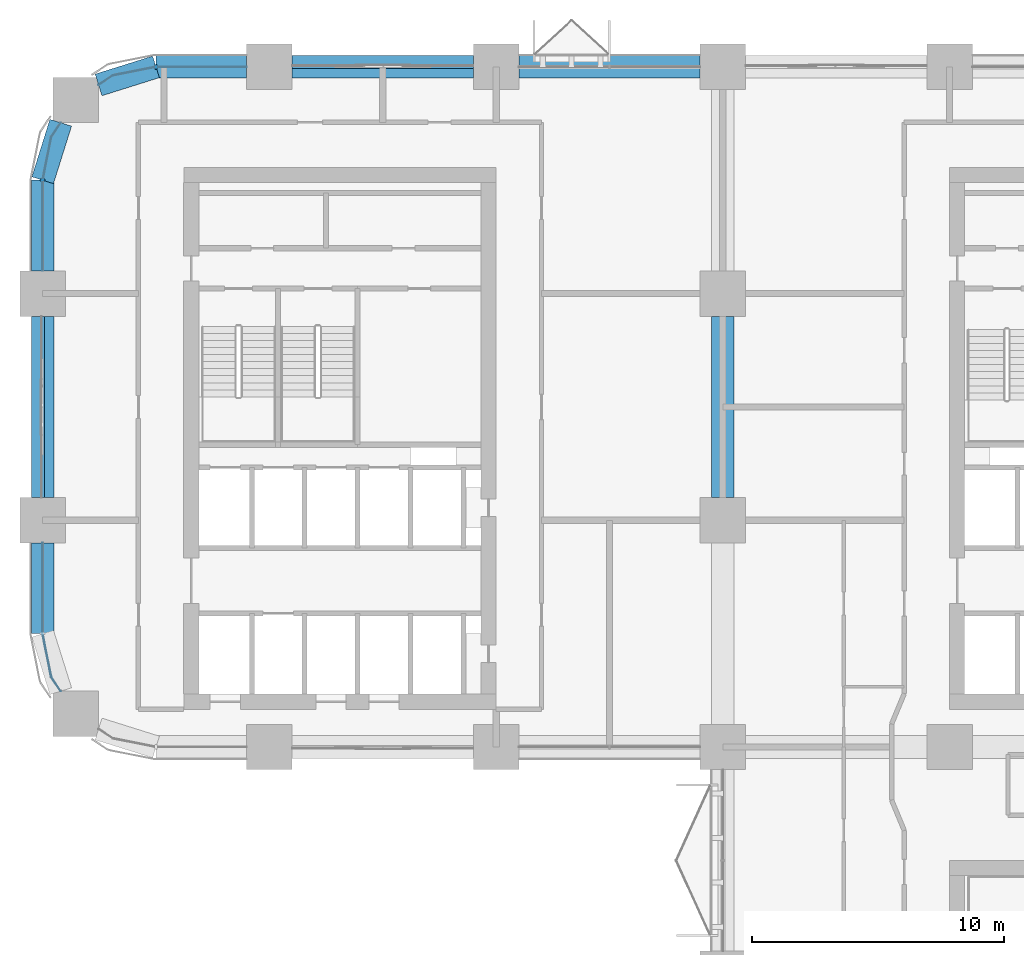
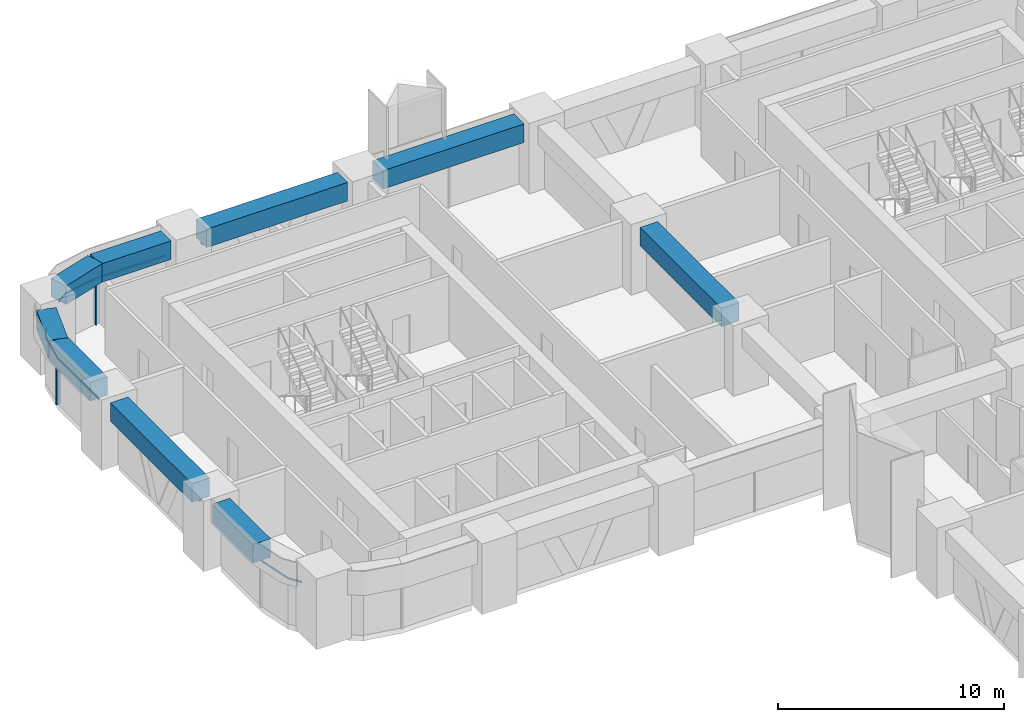
# One storey, part 6 of 18: 9 beams, 7 members, 5 elements without a shape of their own.
"""IFC4 building model written with IfcOpenShell, lengths in metres."""

from ifc_helpers import new_model, si_unit, direction, frame, origin, origin_2d, place, context, subcontext, project, spatial, polyline, rectangle, outline, extrude, material, material_profile, profile_set, type_object, element, aggregate, save


model = new_model("IFC4")

# Units and contexts
model_context = context("Model", 3, precision=1e-05, world=origin(), true_north=direction((0.0, 1.0)))
body_context = subcontext(model_context, "Body", "Model", "MODEL_VIEW")
ifc_project = project(units=[si_unit("LENGTHUNIT", "METRE"), si_unit("AREAUNIT", "SQUARE_METRE"), si_unit("VOLUMEUNIT", "CUBIC_METRE"), si_unit("PLANEANGLEUNIT", "RADIAN"), si_unit("MASSUNIT", "GRAM", prefix="KILO")], contexts=[model_context])

# Site, building, storey
site_placement = place(None, origin())
site = spatial("IfcSite", under=ifc_project, at=site_placement, CompositionType="ELEMENT")
building_placement = place(site_placement, origin())
building = spatial("IfcBuilding", under=site, at=building_placement, Name="Tessera Arch", CompositionType="ELEMENT")
storey_placement = place(building_placement, frame((0.0, 0.0, 100.60009765625)))
storey = spatial("IfcBuildingStorey", under=building, at=storey_placement, Name="L23", CompositionType="ELEMENT", Elevation=100.60009765625)

# Curtain wall, member
ifc_material_1 = material(Name="CW2 curtain wall")
curtain_wall_type_1 = type_object("IfcCurtainWallType", Name="CW2 curtain wall", PredefinedType="NOTDEFINED", material=ifc_material_1)
curtain_wall_1_placement = place(storey_placement, origin())
curtain_wall_1 = element("IfcCurtainWall", 1, at=curtain_wall_1_placement, inside=storey, type_object=curtain_wall_type_1, Name="CW2 curtain wall N54.0/4 L23", PredefinedType="NOTDEFINED")
ifc_material_2 = material(Name="Anodised aluminium pale metal", Category="aluminium")
ifc_material_profile_1 = material_profile(ifc_material_2, rectangle(XDim=0.199951171875, YDim=0.080078125, at=origin_2d()), Name="AL 80x200")
ifc_profile_set_1 = profile_set([ifc_material_profile_1], Name="Anodised aluminium pale metal")
member_type_1 = type_object("IfcMemberType", Name="CW2 mullion", PredefinedType="MULLION", material=ifc_profile_set_1)
member_1_placement = place(storey_placement, frame((4.5, 54.0, 0.0), z_axis=(0.0, 0.0, 1.0), x_axis=(0.0, -1.0, 0.0)))
member_1 = element("IfcMember", 2, at=member_1_placement, type_object=member_type_1, Name="CW2 mullion N54.0/4 1", PredefinedType="MULLION", context=body_context, shape_type="SweptSolid", body=[
    extrude(rectangle(XDim=0.199951171875, YDim=0.080078125, at=origin_2d()), origin(), (0.0, 0.0, 1.0), 2.39990234375),
])

curtain_wall_2_placement = place(storey_placement, origin())
curtain_wall_2 = element("IfcCurtainWall", 3, at=curtain_wall_2_placement, inside=storey, type_object=curtain_wall_type_1, Name="CW2 curtain wall W0.27/0 L23", PredefinedType="NOTDEFINED")
member_2_placement = place(storey_placement, frame((0.0, 49.5, 0.0), z_axis=(0.0, 0.0, 1.0), x_axis=(1.0, 0.0, 0.0)))
member_2 = element("IfcMember", 4, at=member_2_placement, type_object=member_type_1, Name="CW2 mullion W0.27/0 1", PredefinedType="MULLION", context=body_context, shape_type="SweptSolid", body=[
    extrude(rectangle(XDim=0.199951171875, YDim=0.080078125, at=origin_2d()), origin(), (0.0, 0.0, 1.0), 2.39990234375),
])

# Member
ifc_material_3 = material(Name="Anodised aluminium pale metal", Category="aluminium")
ifc_material_profile_2 = material_profile(ifc_material_3, rectangle(XDim=0.199951171875, YDim=0.10009765625, at=origin_2d()), Name="AL 200x100")
ifc_profile_set_2 = profile_set([ifc_material_profile_2], Name="Anodised aluminium pale metal")
member_type_2 = type_object("IfcMemberType", Name="CW2 transom", PredefinedType="USERDEFINED", material=ifc_profile_set_2)
member_3_placement = place(storey_placement, frame((0.0, 0.0, 2.39990234375)))
member_3 = element("IfcMember", 5, at=member_3_placement, type_object=member_type_2, Name="CW2 transom N54.0/4 1", ObjectType="TRANSOM", PredefinedType="USERDEFINED", context=body_context, shape_type="SweptSolid", body=[
    extrude(outline(polyline([(4.5009765625, 53.989990234375), (8.10009765625, 53.989990234375), (8.10009765625, 54.010009765625), (4.4990234375, 54.010009765625), (2.77392578125, 53.6669921875), (2.21240234375, 53.29150390625), (2.2236328125, 53.27490234375), (2.78173828125, 53.648193359375), (4.5009765625, 53.989990234375)])), origin(), (0.0, 0.0, 1.0), 0.10009765625),
])

aggregate(curtain_wall_1, [member_1, member_3])

member_4_placement = place(storey_placement, frame((0.0, 0.0, 2.39990234375)))
member_4 = element("IfcMember", 6, at=member_4_placement, type_object=member_type_2, Name="CW2 transom W0.27/0 1", ObjectType="TRANSOM", PredefinedType="USERDEFINED", context=body_context, shape_type="SweptSolid", body=[
    extrude(outline(polyline([(0.351806640625, 51.21826171875), (0.72509765625, 51.7763671875), (0.70849609375, 51.78759765625), (0.3330078125, 51.22607421875), (-0.010009765625, 49.5009765625), (-0.010009765625, 45.89990234375), (0.010009765625, 45.89990234375), (0.010009765625, 49.4990234375), (0.351806640625, 51.21826171875)])), origin(), (0.0, 0.0, 1.0), 0.10009765625),
])

aggregate(curtain_wall_2, [member_2, member_4])

# Curtain wall, member
curtain_wall_3_placement = place(storey_placement, origin())
curtain_wall_3 = element("IfcCurtainWall", 7, at=curtain_wall_3_placement, inside=storey, type_object=curtain_wall_type_1, Name="CW2 curtain wall W0.27/2 L23", PredefinedType="NOTDEFINED")
member_5_placement = place(storey_placement, frame((0.0, 0.0, 2.39990234375)))
member_5 = element("IfcMember", 8, at=member_5_placement, type_object=member_type_2, Name="CW2 transom W0.27/2 1", ObjectType="TRANSOM", PredefinedType="USERDEFINED", context=body_context, shape_type="SweptSolid", body=[
    extrude(outline(polyline([(0.010009765625, 31.5009765625), (0.010009765625, 35.10009765625), (-0.010009765625, 35.10009765625), (-0.010009765625, 31.4990234375), (0.3330078125, 29.77392578125), (0.70849609375, 29.21240234375), (0.72509765625, 29.2236328125), (0.351806640625, 29.78173828125), (0.010009765625, 31.5009765625)])), origin(), (0.0, 0.0, 1.0), 0.10009765625),
])
aggregate(curtain_wall_3, [member_5])

ifc_material_4 = material(Name="CW3 curtain wall")
curtain_wall_type_2 = type_object("IfcCurtainWallType", Name="CW3 curtain wall", PredefinedType="NOTDEFINED", material=ifc_material_4)
curtain_wall_4_placement = place(storey_placement, origin())
curtain_wall_4 = element("IfcCurtainWall", 9, at=curtain_wall_4_placement, inside=storey, type_object=curtain_wall_type_2, Name="CW3 curtain wall N54.0/3 L23", PredefinedType="NOTDEFINED")
ifc_material_5 = material(Name="Anodised aluminium pale metal", Category="aluminium")
ifc_material_profile_3 = material_profile(ifc_material_5, rectangle(XDim=0.139892578125, YDim=0.10009765625, at=origin_2d()), Name="AL 140x100")
ifc_profile_set_3 = profile_set([ifc_material_profile_3], Name="Anodised aluminium pale metal")
member_type_3 = type_object("IfcMemberType", Name="CW3 transom", PredefinedType="USERDEFINED", material=ifc_profile_set_3)
member_6_placement = place(storey_placement, frame((17.10009765625, 54.0, 2.449951171875), z_axis=(-1.0, 0.0, 0.0), x_axis=(0.0, -1.0, 0.0)))
member_6 = element("IfcMember", 10, at=member_6_placement, type_object=member_type_3, Name="CW3 transom N54.0/3 1.1", ObjectType="TRANSOM", PredefinedType="USERDEFINED", context=body_context, shape_type="SweptSolid", body=[
    extrude(rectangle(XDim=0.139892578125, YDim=0.10009765625, at=origin_2d()), origin(), (0.0, 0.0, 1.0), 7.2001953125),
])
aggregate(curtain_wall_4, [member_6])

curtain_wall_5_placement = place(storey_placement, origin())
curtain_wall_5 = element("IfcCurtainWall", 11, at=curtain_wall_5_placement, inside=storey, type_object=curtain_wall_type_2, Name="CW3 curtain wall W0.27/1 L23", PredefinedType="NOTDEFINED")
member_7_placement = place(storey_placement, frame((0.0, 44.10009765625, 2.449951171875), z_axis=(0.0, -1.0, 0.0), x_axis=(1.0, 0.0, 0.0)))
member_7 = element("IfcMember", 12, at=member_7_placement, type_object=member_type_3, Name="CW3 transom W0.27/1 1.1", ObjectType="TRANSOM", PredefinedType="USERDEFINED", context=body_context, shape_type="SweptSolid", body=[
    extrude(rectangle(XDim=0.139892578125, YDim=0.10009765625, at=origin_2d()), origin(), (0.0, 0.0, 1.0), 7.2001953125),
])
aggregate(curtain_wall_5, [member_7])

# Beams
ifc_material_6 = material(Name="Concrete C80/95", Category="concrete")
ifc_material_profile_4 = material_profile(ifc_material_6, rectangle(XDim=0.89990234375, YDim=1.0, at=origin_2d()), Name="RC spandrel beam 900 x 1000 Concrete C80/95")
ifc_profile_set_4 = profile_set([ifc_material_profile_4], Name="Concrete C80/95")
beam_type = type_object("IfcBeamType", Name="RC spandrel beam 900 x 1000 Concrete C80/95", PredefinedType="BEAM", material=ifc_profile_set_4)
for number, where, z_axis, x_axis, name in (
    (13, (26.10009765625, 54.0, 3.0), (-1.0, 0.0, 0.0), (0.0, -1.0, 0.0), "Spandrel beam L23 N54.0/2"),
    (14, (17.10009765625, 54.0, 3.0), (-1.0, 0.0, 0.0), (0.0, -1.0, 0.0), "Spandrel beam L23 N54.0/3"),
):
    element("IfcBeam", number, at=place(storey_placement, frame(where, z_axis=z_axis, x_axis=x_axis)), inside=storey, type_object=beam_type, Name=name, PredefinedType="BEAM", context=body_context, shape_type="SweptSolid", body=[
        extrude(rectangle(XDim=0.89990234375, YDim=1.0, at=origin_2d()), origin(), (0.0, 0.0, 1.0), 7.2001953125),
    ])
beam_1_placement = place(storey_placement, frame((8.10009765625, 54.0, 3.0), z_axis=(-1.0, 0.0, 0.0), x_axis=(0.0, -1.0, 0.0)))
element("IfcBeam", 15, at=beam_1_placement, inside=storey, type_object=beam_type, Name="Spandrel beam L23 N54.0/4.1", PredefinedType="BEAM", context=body_context, shape_type="SweptSolid", body=[
    extrude(rectangle(XDim=0.89990234375, YDim=1.0, at=origin_2d()), origin(), (0.0, 0.0, 1.0), 3.60009765625),
])
for number, where, z_axis, x_axis, name in (
    (16, (4.5, 54.0, 3.0), (-0.954041251279, -0.299675309057, 0.0), (0.299675309057, -0.954041251279, 0.0), "Spandrel beam L23 N54.0/4.2"),
    (17, (0.716796875, 51.781982421875, 3.0), (-0.299675309057, -0.954041251279, 0.0), (0.954041251279, -0.299675309057, 0.0), "Spandrel beam L23 W0.27/0.1"),
):
    element("IfcBeam", number, at=place(storey_placement, frame(where, z_axis=z_axis, x_axis=x_axis)), inside=storey, type_object=beam_type, Name=name, PredefinedType="BEAM", context=body_context, shape_type="SweptSolid", body=[
        extrude(rectangle(XDim=0.89990234375, YDim=1.0, at=origin_2d()), origin(), (0.0, 0.0, 1.0), 2.391845703125),
    ])
beam_2_placement = place(storey_placement, frame((0.0, 49.5, 3.0), z_axis=(0.0, -1.0, 0.0), x_axis=(1.0, 0.0, 0.0)))
element("IfcBeam", 18, at=beam_2_placement, inside=storey, type_object=beam_type, Name="Spandrel beam L23 W0.27/0.2", PredefinedType="BEAM", context=body_context, shape_type="SweptSolid", body=[
    extrude(rectangle(XDim=0.89990234375, YDim=1.0, at=origin_2d()), origin(), (0.0, 0.0, 1.0), 3.60009765625),
])
beam_3_placement = place(storey_placement, frame((0.0, 44.10009765625, 3.0), z_axis=(0.0, -1.0, 0.0), x_axis=(1.0, 0.0, 0.0)))
element("IfcBeam", 19, at=beam_3_placement, inside=storey, type_object=beam_type, Name="Spandrel beam L23 W0.27/1", PredefinedType="BEAM", context=body_context, shape_type="SweptSolid", body=[
    extrude(rectangle(XDim=0.89990234375, YDim=1.0, at=origin_2d()), origin(), (0.0, 0.0, 1.0), 7.2001953125),
])
beam_4_placement = place(storey_placement, frame((0.0, 35.10009765625, 3.0), z_axis=(0.0, -1.0, 0.0), x_axis=(1.0, 0.0, 0.0)))
element("IfcBeam", 20, at=beam_4_placement, inside=storey, type_object=beam_type, Name="Spandrel beam L23 W0.27/2.1", PredefinedType="BEAM", context=body_context, shape_type="SweptSolid", body=[
    extrude(rectangle(XDim=0.89990234375, YDim=1.0, at=origin_2d()), origin(), (0.0, 0.0, 1.0), 3.60009765625),
])
beam_5_placement = place(storey_placement, frame((27.0, 36.89990234375, 3.0), z_axis=(0.0, 1.0, 0.0), x_axis=(-1.0, 0.0, 0.0)))
element("IfcBeam", 21, at=beam_5_placement, inside=storey, type_object=beam_type, Name="Interface beam L23 I0C4E-C4F", PredefinedType="BEAM", context=body_context, shape_type="SweptSolid", body=[
    extrude(rectangle(XDim=0.89990234375, YDim=1.0, at=origin_2d()), origin(), (0.0, 0.0, 1.0), 7.2001953125),
])

save(model, "model.ifc")
